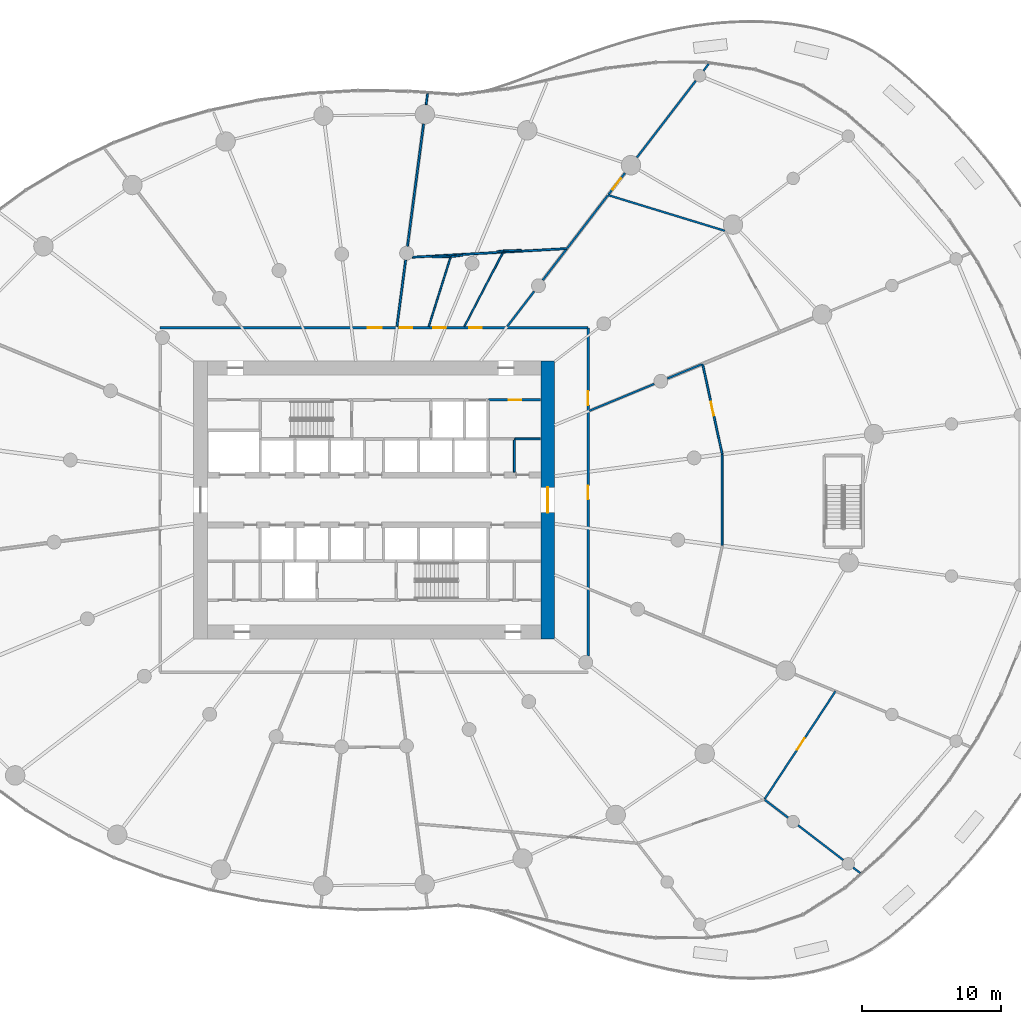
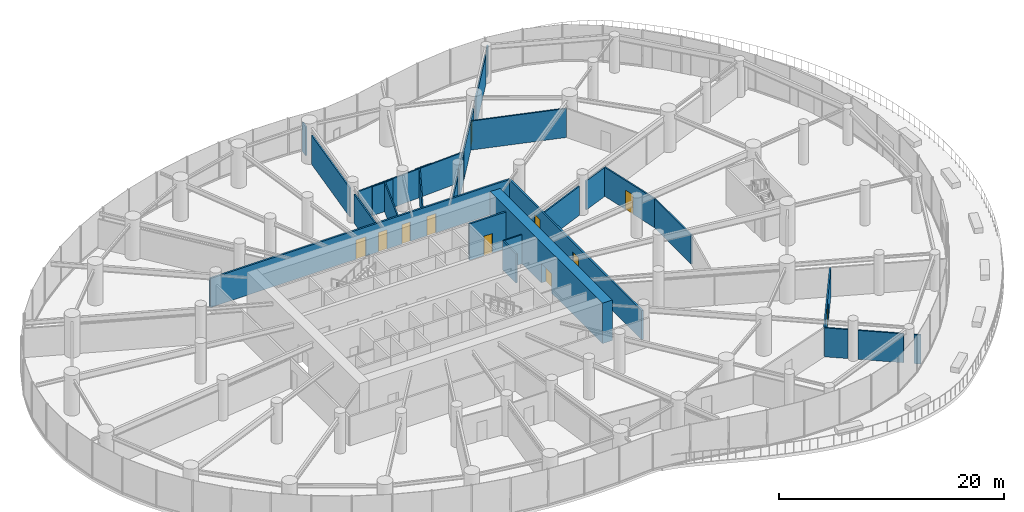
# One storey, part 15 of 21: 31 walls, 11 doors, 11 openings.
"""IFC4 building model written with IfcOpenShell, lengths in metres."""

from ifc_helpers import new_model, si_unit, direction, frame, frame_2d, origin, place, context, subcontext, project, spatial, rectangle, extrude, source, transform, mapped, material, layer, layer_set, type_object, element, fill, save


model = new_model("IFC4")

# Units and contexts
model_context = context("Model", 3, precision=1e-05, world=origin(), true_north=direction((0.0, 1.0)))
body_context = subcontext(model_context, "Body", "Model", "MODEL_VIEW")
ifc_project = project(units=[si_unit("LENGTHUNIT", "METRE"), si_unit("AREAUNIT", "SQUARE_METRE"), si_unit("VOLUMEUNIT", "CUBIC_METRE"), si_unit("PLANEANGLEUNIT", "RADIAN"), si_unit("MASSUNIT", "GRAM", prefix="KILO")], contexts=[model_context])

# Site, building, storey
site_placement = place(None, origin())
site = spatial("IfcSite", under=ifc_project, at=site_placement, CompositionType="ELEMENT")
building_placement = place(site_placement, origin())
building = spatial("IfcBuilding", under=site, at=building_placement, Name="Spindrift Exchange Tower", CompositionType="ELEMENT")
storey_placement = place(building_placement, frame((0.0, 0.0, 9.39990234375)))
storey = spatial("IfcBuildingStorey", under=building, at=storey_placement, Name="L02", CompositionType="ELEMENT", Elevation=9.39990234375)

# Wall, opening, door
ifc_material_1 = material(Name="Concrete 80 MPa", Category="concrete")
ifc_layer_1 = layer(ifc_material_1, 1.0)
ifc_layer_set_1 = layer_set([ifc_layer_1], Name="RC Core Wall 1000 Concrete 80 MPa")
wall_type_1 = type_object("IfcWallType", Name="RC Core Wall 1000 Concrete 80 MPa", PredefinedType="SHEAR", material=ifc_layer_set_1)
wall_1_placement = place(storey_placement, frame((64.5, 38.0, 0.0), z_axis=(0.0, 0.0, 1.0), x_axis=(0.0, 1.0, 0.0)))
wall_1 = element("IfcWall", 1, at=wall_1_placement, inside=storey, type_object=wall_type_1, Name="Core wall E L02", PredefinedType="SHEAR", context=body_context, shape_type="SweptSolid", body=[
    extrude(rectangle(XDim=20.0, YDim=1.0, at=frame_2d((10.0, 0.0))), origin(), (0.0, 0.0, 1.0), 4.400146484375),
])
opening_1_placement = place(wall_1_placement, frame((9.10009765625, 0.0, 0.0)))
opening_1 = element("IfcOpeningElement", 2, at=opening_1_placement, cuts=wall_1, Name="Opening L02-D2", PredefinedType="OPENING", context=body_context, shape_type="SweptSolid", body=[
    extrude(rectangle(XDim=1.800048828125, YDim=2.10009765625, at=frame_2d((0.89990234375, 1.050048828125))), frame((0.0, 0.510009765625, 0.0), z_axis=(0.0, -1.0, 0.0), x_axis=(1.0, 0.0, 0.0)), (0.0, 0.0, 1.0), 1.02001953125),
])
ifc_material_2 = material(Name="Timber-core fire door", Category="wood")
door_type_1 = type_object("IfcDoorType", Name="DR-LOBBY-1800", OperationType="NOTDEFINED", PredefinedType="DOOR", material=ifc_material_2)
shared_shape_1 = source(origin(), body_context, "Body", "SweptSolid", [
    extrude(rectangle(XDim=1.800048828125, YDim=2.10009765625, at=frame_2d((0.89990234375, 1.050048828125))), frame((0.0, 0.02490234375, 0.0), z_axis=(0.0, -1.0, 0.0), x_axis=(1.0, 0.0, 0.0)), (0.0, 0.0, 1.0), 0.050048828125),
])
door_1_placement = place(opening_1_placement, origin())
door_1 = element("IfcDoor", 3, at=door_1_placement, inside=storey, type_object=door_type_1, Name="L02 Lobby door 2", OperationType="SINGLE_SWING_RIGHT", OverallHeight=2.10009765625, OverallWidth=1.800048828125, PredefinedType="DOOR", context=body_context, shape_type="MappedRepresentation", body=[
    mapped(shared_shape_1, transform((0.0, 0.0, 0.0), scale=1.0)),
])
fill(opening_1, door_1)

ifc_material_3 = material(Name="Fire-rated plasterboard partition", Category="gypsum")
ifc_layer_2 = layer(ifc_material_3, 0.179931640625)
ifc_layer_set_2 = layer_set([ifc_layer_2], Name="W-CORR-180")
wall_type_2 = type_object("IfcWallType", Name="W-CORR-180", PredefinedType="PARTITIONING", material=ifc_layer_set_2)
wall_2_placement = place(storey_placement, frame((63.97998046875, 55.199951171875, 0.0), z_axis=(0.0, 0.0, 1.0), x_axis=(-1.0, 0.0, 0.0)))
wall_2 = element("IfcWall", 4, at=wall_2_placement, inside=storey, type_object=wall_type_2, Name="L02 Partition wall 68", PredefinedType="PARTITIONING", context=body_context, shape_type="SweptSolid", body=[
    extrude(rectangle(XDim=3.75, YDim=0.179931640625, at=frame_2d((1.875, 0.0))), origin(), (0.0, 0.0, 1.0), 3.9501953125),
])
opening_2_placement = place(wall_2_placement, frame((1.39990234375, 0.0, 0.0)))
opening_2 = element("IfcOpeningElement", 5, at=opening_2_placement, cuts=wall_2, Name="Opening L02-D51", PredefinedType="OPENING", context=body_context, shape_type="SweptSolid", body=[
    extrude(rectangle(XDim=0.89990234375, YDim=2.10009765625, at=frame_2d((0.449951171875, 1.050048828125))), frame((0.0, 0.099853515625, 0.0), z_axis=(0.0, -1.0, 0.0), x_axis=(1.0, 0.0, 0.0)), (0.0, 0.0, 1.0), 0.199951171875),
])
ifc_material_4 = material(Name="Steel access door", Category="steel")
door_type_2 = type_object("IfcDoorType", Name="DR-RISER-900", OperationType="NOTDEFINED", PredefinedType="DOOR", material=ifc_material_4)
shared_shape_2 = source(origin(), body_context, "Body", "SweptSolid", [
    extrude(rectangle(XDim=0.89990234375, YDim=2.10009765625, at=frame_2d((0.449951171875, 1.050048828125))), frame((0.0, 0.02490234375, 0.0), z_axis=(0.0, -1.0, 0.0), x_axis=(1.0, 0.0, 0.0)), (0.0, 0.0, 1.0), 0.050048828125),
])
door_2_placement = place(opening_2_placement, origin())
door_2 = element("IfcDoor", 6, at=door_2_placement, inside=storey, type_object=door_type_2, Name="L02 Riser door 51", OperationType="SINGLE_SWING_LEFT", OverallHeight=2.10009765625, OverallWidth=0.89990234375, PredefinedType="DOOR", context=body_context, shape_type="MappedRepresentation", body=[
    mapped(shared_shape_2, transform((0.0, 0.0, 0.0), scale=1.0)),
])
fill(opening_2, door_2)

ifc_layer_3 = layer(ifc_material_3, 0.139892578125)
ifc_layer_set_3 = layer_set([ifc_layer_3], Name="W-PART-140")
wall_type_3 = type_object("IfcWallType", Name="W-PART-140", PredefinedType="PARTITIONING", material=ifc_layer_set_3)
wall_3_placement = place(storey_placement, frame((75.64990234375, 57.796142578125, 0.0), z_axis=(0.0, 0.0, 1.0), x_axis=(0.212219247402, -0.977222078666, 0.0)))
wall_3 = element("IfcWall", 7, at=wall_3_placement, inside=storey, type_object=wall_type_3, Name="L02 Partition wall 84", PredefinedType="PARTITIONING", context=body_context, shape_type="SweptSolid", body=[
    extrude(rectangle(XDim=6.648193359375, YDim=0.139892578125, at=frame_2d((3.32421875, 0.0))), origin(), (0.0, 0.0, 1.0), 3.150146484375),
])
opening_3_placement = place(wall_3_placement, frame((2.798095703125, 0.0, 0.0)))
opening_3 = element("IfcOpeningElement", 8, at=opening_3_placement, cuts=wall_3, Name="Opening L02-D25", PredefinedType="OPENING", context=body_context, shape_type="SweptSolid", body=[
    extrude(rectangle(XDim=1.0, YDim=2.10009765625, at=frame_2d((0.5, 1.050048828125))), frame((0.0, 0.079833984375, 0.0), z_axis=(0.0, -1.0, 0.0), x_axis=(1.0, 0.0, 0.0)), (0.0, 0.0, 1.0), 0.159912109375),
])
door_type_3 = type_object("IfcDoorType", Name="DR-ROOM-1000", OperationType="NOTDEFINED", PredefinedType="DOOR", material=ifc_material_2)
shared_shape_3 = source(origin(), body_context, "Body", "SweptSolid", [
    extrude(rectangle(XDim=1.0, YDim=2.10009765625, at=frame_2d((0.5, 1.050048828125))), frame((0.0, 0.02490234375, 0.0), z_axis=(0.0, -1.0, 0.0), x_axis=(1.0, 0.0, 0.0)), (0.0, 0.0, 1.0), 0.050048828125),
])
door_3_placement = place(opening_3_placement, origin())
door_3 = element("IfcDoor", 9, at=door_3_placement, inside=storey, type_object=door_type_3, Name="L02 Door 25", OperationType="SINGLE_SWING_LEFT", OverallHeight=2.10009765625, OverallWidth=1.0, PredefinedType="DOOR", context=body_context, shape_type="MappedRepresentation", body=[
    mapped(shared_shape_3, transform((0.0, 0.0, 0.0), scale=1.0)),
])
fill(opening_3, door_3)

# Walls
wall_4_placement = place(storey_placement, frame((77.060791015625, 44.730712890625, 0.0), z_axis=(0.0, 0.0, 1.0), x_axis=(0.0, 1.0, 0.0)))
element("IfcWall", 10, at=wall_4_placement, inside=storey, type_object=wall_type_3, Name="L02 Partition wall 86", PredefinedType="PARTITIONING", context=body_context, shape_type="SweptSolid", body=[
    extrude(rectangle(XDim=6.53857421875, YDim=0.139892578125, at=frame_2d((3.269287109375, 0.0))), origin(), (0.0, 0.0, 1.0), 3.150146484375),
])
wall_5_placement = place(storey_placement, frame((62.10009765625, 50.010009765625, 0.0), z_axis=(0.0, 0.0, 1.0), x_axis=(0.0, 1.0, 0.0)))
element("IfcWall", 11, at=wall_5_placement, inside=storey, type_object=wall_type_3, Name="L02 Partition wall 118", PredefinedType="PARTITIONING", context=body_context, shape_type="SweptSolid", body=[
    extrude(rectangle(XDim=2.389892578125, YDim=0.139892578125, at=frame_2d((1.19482421875, 0.0))), origin(), (0.0, 0.0, 1.0), 3.150146484375),
])
wall_6_placement = place(storey_placement, frame((63.97998046875, 52.39990234375, 0.0), z_axis=(0.0, 0.0, 1.0), x_axis=(-1.0, 0.0, 0.0)))
element("IfcWall", 12, at=wall_6_placement, inside=storey, type_object=wall_type_3, Name="L02 Partition wall 127", PredefinedType="PARTITIONING", context=body_context, shape_type="SweptSolid", body=[
    extrude(rectangle(XDim=1.85009765625, YDim=0.139892578125, at=frame_2d((0.925048828125, 0.0))), origin(), (0.0, 0.0, 1.0), 3.150146484375),
])
ifc_layer_4 = layer(ifc_material_3, 0.1201171875)
ifc_layer_set_4 = layer_set([ifc_layer_4], Name="W-PLANT-120")
wall_type_4 = type_object("IfcWallType", Name="W-PLANT-120", PredefinedType="PARTITIONING", material=ifc_layer_set_4)
wall_7_placement = place(storey_placement, frame((62.60888671875, 65.984375, 0.0), z_axis=(0.0, 0.0, 1.0), x_axis=(-0.999408051907, -0.034402700248, 0.0)))
element("IfcWall", 13, at=wall_7_placement, inside=storey, type_object=wall_type_4, Name="L02 Partition wall 141", PredefinedType="PARTITIONING", context=body_context, shape_type="SweptSolid", body=[
    extrude(rectangle(XDim=1.270263671875, YDim=0.1201171875, at=frame_2d((0.63525390625, 0.0))), origin(), (0.0, 0.0, 1.0), 3.150146484375),
])
wall_8_placement = place(storey_placement, frame((57.45751953125, 65.50830078125, 0.0), z_axis=(0.0, 0.0, 1.0), x_axis=(-0.999842238965, -0.017762240348, 0.0)))
element("IfcWall", 14, at=wall_8_placement, inside=storey, type_object=wall_type_4, Name="L02 Partition wall 142", PredefinedType="PARTITIONING", context=body_context, shape_type="SweptSolid", body=[
    extrude(rectangle(XDim=1.2783203125, YDim=0.1201171875, at=frame_2d((0.63916015625, 0.0))), origin(), (0.0, 0.0, 1.0), 3.150146484375),
])
wall_9_placement = place(storey_placement, frame((61.3095703125, 65.9375, 0.0), z_axis=(0.0, 0.0, 1.0), x_axis=(-0.993844889187, -0.110780576981, 0.0)))
element("IfcWall", 15, at=wall_9_placement, inside=storey, type_object=wall_type_4, Name="L02 Partition wall 143", PredefinedType="PARTITIONING", context=body_context, shape_type="SweptSolid", body=[
    extrude(rectangle(XDim=0.460693359375, YDim=0.1201171875, at=frame_2d((0.23046875, 0.0))), origin(), (0.0, 0.0, 1.0), 3.150146484375),
])
wall_10_placement = place(storey_placement, frame((58.38720703125, 65.608642578125, 0.0), z_axis=(0.0, 0.0, 1.0), x_axis=(-0.993488681117, -0.113930858383, 0.0)))
element("IfcWall", 16, at=wall_10_placement, inside=storey, type_object=wall_type_4, Name="L02 Partition wall 144", PredefinedType="PARTITIONING", context=body_context, shape_type="SweptSolid", body=[
    extrude(rectangle(XDim=0.842041015625, YDim=0.1201171875, at=frame_2d((0.4208984375, 0.0))), origin(), (0.0, 0.0, 1.0), 3.150146484375),
])
ifc_layer_5 = layer(ifc_material_3, 0.139892578125)
ifc_layer_set_5 = layer_set([ifc_layer_5], Name="W-PLANT-140")
wall_type_5 = type_object("IfcWallType", Name="W-PLANT-140", PredefinedType="PARTITIONING", material=ifc_layer_set_5)
wall_11_placement = place(storey_placement, frame((65.886474609375, 66.09716796875, 0.0), z_axis=(0.0, 0.0, 1.0), x_axis=(-0.998446920343, -0.055711284828, 0.0)))
element("IfcWall", 17, at=wall_11_placement, inside=storey, type_object=wall_type_5, Name="L02 Partition wall 70", PredefinedType="PARTITIONING", context=body_context, shape_type="SweptSolid", body=[
    extrude(rectangle(XDim=11.15283203125, YDim=0.139892578125, at=frame_2d((5.576416015625, 0.0))), origin(), (0.0, 0.0, 1.0), 3.150146484375),
])

# Wall, opening, door
wall_12_placement = place(storey_placement, frame((85.21923828125, 34.239990234375, 0.0), z_axis=(0.0, 0.0, 1.0), x_axis=(-0.548956837057, -0.835850699018, 0.0)))
wall_12 = element("IfcWall", 18, at=wall_12_placement, inside=storey, type_object=wall_type_5, Name="L02 Partition wall 73", PredefinedType="PARTITIONING", context=body_context, shape_type="SweptSolid", body=[
    extrude(rectangle(XDim=9.30126953125, YDim=0.139892578125, at=frame_2d((4.650634765625, 0.0))), origin(), (0.0, 0.0, 1.0), 3.150146484375),
])
opening_4_placement = place(wall_12_placement, frame((4.05126953125, 0.0, 0.0)))
opening_4 = element("IfcOpeningElement", 19, at=opening_4_placement, cuts=wall_12, Name="Opening L02-D43", PredefinedType="OPENING", context=body_context, shape_type="SweptSolid", body=[
    extrude(rectangle(XDim=1.0, YDim=2.10009765625, at=frame_2d((0.5, 1.050048828125))), frame((0.0, 0.079833984375, 0.0), z_axis=(0.0, -1.0, 0.0), x_axis=(1.0, 0.0, 0.0)), (0.0, 0.0, 1.0), 0.159912109375),
])
door_4_placement = place(opening_4_placement, origin())
door_4 = element("IfcDoor", 20, at=door_4_placement, inside=storey, type_object=door_type_3, Name="L02 Door 43", OperationType="SINGLE_SWING_LEFT", OverallHeight=2.10009765625, OverallWidth=1.0, PredefinedType="DOOR", context=body_context, shape_type="MappedRepresentation", body=[
    mapped(shared_shape_3, transform((0.0, 0.0, 0.0), scale=1.0)),
])
fill(opening_4, door_4)

# Walls
wall_13_placement = place(storey_placement, frame((54.405029296875, 66.267333984375, 0.0), z_axis=(0.0, 0.0, 1.0), x_axis=(0.130521426482, 0.991445488783, 0.0)))
element("IfcWall", 21, at=wall_13_placement, inside=storey, type_object=wall_type_5, Name="L02 Partition wall 78", PredefinedType="PARTITIONING", context=body_context, shape_type="SweptSolid", body=[
    extrude(rectangle(XDim=8.871826171875, YDim=0.139892578125, at=frame_2d((4.43603515625, 0.0))), origin(), (0.0, 0.0, 1.0), 3.150146484375),
])
wall_14_placement = place(storey_placement, frame((77.251708984375, 67.376220703125, 0.0), z_axis=(0.0, 0.0, 1.0), x_axis=(-0.956290134039, 0.292419526604, 0.0)))
element("IfcWall", 22, at=wall_14_placement, inside=storey, type_object=wall_type_5, Name="L02 Partition wall 79", PredefinedType="PARTITIONING", context=body_context, shape_type="SweptSolid", body=[
    extrude(rectangle(XDim=8.794921875, YDim=0.139892578125, at=frame_2d((4.3974609375, 0.0))), origin(), (0.0, 0.0, 1.0), 3.150146484375),
])
wall_15_placement = place(storey_placement, frame((70.9208984375, 72.658447265625, 0.0), z_axis=(0.0, 0.0, 1.0), x_axis=(0.608788506125, 0.793332562555, 0.0)))
element("IfcWall", 23, at=wall_15_placement, inside=storey, type_object=wall_type_5, Name="L02 Partition wall 82", PredefinedType="PARTITIONING", context=body_context, shape_type="SweptSolid", body=[
    extrude(rectangle(XDim=6.962646484375, YDim=0.139892578125, at=frame_2d((3.4814453125, 0.0))), origin(), (0.0, 0.0, 1.0), 3.150146484375),
])
wall_16_placement = place(storey_placement, frame((67.489990234375, 54.416259765625, 0.0), z_axis=(0.0, 0.0, 1.0), x_axis=(0.923890025086, 0.382658100067, 0.0)))
element("IfcWall", 24, at=wall_16_placement, inside=storey, type_object=wall_type_5, Name="L02 Partition wall 89", PredefinedType="PARTITIONING", context=body_context, shape_type="SweptSolid", body=[
    extrude(rectangle(XDim=5.068359375, YDim=0.139892578125, at=frame_2d((2.5341796875, 0.0))), origin(), (0.0, 0.0, 1.0), 3.150146484375),
])
wall_17_placement = place(storey_placement, frame((53.644287109375, 60.489990234375, 0.0), z_axis=(0.0, 0.0, 1.0), x_axis=(0.130523979823, 0.991445152639, 0.0)))
element("IfcWall", 25, at=wall_17_placement, inside=storey, type_object=wall_type_5, Name="L02 Partition wall 91", PredefinedType="PARTITIONING", context=body_context, shape_type="SweptSolid", body=[
    extrude(rectangle(XDim=4.818359375, YDim=0.139892578125, at=frame_2d((2.4091796875, 0.0))), origin(), (0.0, 0.0, 1.0), 3.150146484375),
])
wall_18_placement = place(storey_placement, frame((65.90478515625, 66.12109375, 0.0), z_axis=(0.0, 0.0, 1.0), x_axis=(0.608747971689, 0.793363666274, 0.0)))
element("IfcWall", 26, at=wall_18_placement, inside=storey, type_object=wall_type_5, Name="L02 Partition wall 92", PredefinedType="PARTITIONING", context=body_context, shape_type="SweptSolid", body=[
    extrude(rectangle(XDim=4.793701171875, YDim=0.139892578125, at=frame_2d((2.39697265625, 0.0))), origin(), (0.0, 0.0, 1.0), 3.150146484375),
])
wall_19_placement = place(storey_placement, frame((82.525146484375, 24.5771484375, 0.0), z_axis=(0.0, 0.0, 1.0), x_axis=(0.793377694402, -0.608729688799, 0.0)))
element("IfcWall", 27, at=wall_19_placement, inside=storey, type_object=wall_type_5, Name="L02 Partition wall 97", PredefinedType="PARTITIONING", context=body_context, shape_type="SweptSolid", body=[
    extrude(rectangle(XDim=4.0908203125, YDim=0.139892578125, at=frame_2d((2.04541015625, 0.0))), origin(), (0.0, 0.0, 1.0), 3.150146484375),
])
wall_20_placement = place(storey_placement, frame((61.583984375, 60.489990234375, 0.0), z_axis=(0.0, 0.0, 1.0), x_axis=(0.60874605662, 0.793365135703, 0.0)))
element("IfcWall", 28, at=wall_20_placement, inside=storey, type_object=wall_type_5, Name="L02 Partition wall 108", PredefinedType="PARTITIONING", context=body_context, shape_type="SweptSolid", body=[
    extrude(rectangle(XDim=3.193603515625, YDim=0.139892578125, at=frame_2d((1.5966796875, 0.0))), origin(), (0.0, 0.0, 1.0), 3.150146484375),
])
wall_21_placement = place(storey_placement, frame((64.14208984375, 63.823974609375, 0.0), z_axis=(0.0, 0.0, 1.0), x_axis=(0.608740177346, 0.793369646813, 0.0)))
element("IfcWall", 29, at=wall_21_placement, inside=storey, type_object=wall_type_5, Name="L02 Partition wall 112", PredefinedType="PARTITIONING", context=body_context, shape_type="SweptSolid", body=[
    extrude(rectangle(XDim=2.77294921875, YDim=0.139892578125, at=frame_2d((1.386474609375, 0.0))), origin(), (0.0, 0.0, 1.0), 3.150146484375),
])
wall_22_placement = place(storey_placement, frame((73.10595703125, 56.7421875, 0.0), z_axis=(0.0, 0.0, 1.0), x_axis=(0.923855963606, 0.38274032778, 0.0)))
element("IfcWall", 30, at=wall_22_placement, inside=storey, type_object=wall_type_5, Name="L02 Partition wall 115", PredefinedType="PARTITIONING", context=body_context, shape_type="SweptSolid", body=[
    extrude(rectangle(XDim=2.682373046875, YDim=0.139892578125, at=frame_2d((1.34130859375, 0.0))), origin(), (0.0, 0.0, 1.0), 3.150146484375),
])
wall_23_placement = place(storey_placement, frame((80.12060546875, 26.42236328125, 0.0), z_axis=(0.0, 0.0, 1.0), x_axis=(0.793337757309, -0.608781736609, 0.0)))
element("IfcWall", 31, at=wall_23_placement, inside=storey, type_object=wall_type_5, Name="L02 Partition wall 120", PredefinedType="PARTITIONING", context=body_context, shape_type="SweptSolid", body=[
    extrude(rectangle(XDim=2.121826171875, YDim=0.139892578125, at=frame_2d((1.06103515625, 0.0))), origin(), (0.0, 0.0, 1.0), 3.150146484375),
])

# Wall, opening, door
wall_24_placement = place(storey_placement, frame((68.886962890625, 70.00732421875, 0.0), z_axis=(0.0, 0.0, 1.0), x_axis=(0.608733755036, 0.79337457451, 0.0)))
wall_24 = element("IfcWall", 32, at=wall_24_placement, inside=storey, type_object=wall_type_5, Name="L02 Partition wall 121", PredefinedType="PARTITIONING", context=body_context, shape_type="SweptSolid", body=[
    extrude(rectangle(XDim=1.93310546875, YDim=0.139892578125, at=frame_2d((0.966552734375, 0.0))), origin(), (0.0, 0.0, 1.0), 3.150146484375),
])
opening_5_placement = place(wall_24_placement, frame((0.449951171875, 0.0, 0.0)))
opening_5 = element("IfcOpeningElement", 33, at=opening_5_placement, cuts=wall_24, Name="Opening L02-D32", PredefinedType="OPENING", context=body_context, shape_type="SweptSolid", body=[
    extrude(rectangle(XDim=1.0, YDim=2.10009765625, at=frame_2d((0.5, 1.050048828125))), frame((0.0, 0.079833984375, 0.0), z_axis=(0.0, -1.0, 0.0), x_axis=(1.0, 0.0, 0.0)), (0.0, 0.0, 1.0), 0.159912109375),
])
door_5_placement = place(opening_5_placement, origin())
door_5 = element("IfcDoor", 34, at=door_5_placement, inside=storey, type_object=door_type_3, Name="L02 Door 32", OperationType="SINGLE_SWING_RIGHT", OverallHeight=2.10009765625, OverallWidth=1.0, PredefinedType="DOOR", context=body_context, shape_type="MappedRepresentation", body=[
    mapped(shared_shape_3, transform((0.0, 0.0, 0.0), scale=1.0)),
])
fill(opening_5, door_5)

# Walls
wall_25_placement = place(storey_placement, frame((55.746826171875, 76.459716796875, 0.0), z_axis=(0.0, 0.0, 1.0), x_axis=(0.130598952658, 0.991435279564, 0.0)))
element("IfcWall", 35, at=wall_25_placement, inside=storey, type_object=wall_type_5, Name="L02 Partition wall 132", PredefinedType="PARTITIONING", context=body_context, shape_type="SweptSolid", body=[
    extrude(rectangle(XDim=0.787109375, YDim=0.139892578125, at=frame_2d((0.3935546875, 0.0))), origin(), (0.0, 0.0, 1.0), 3.150146484375),
])
wall_26_placement = place(storey_placement, frame((86.491943359375, 21.533447265625, 0.0), z_axis=(0.0, 0.0, 1.0), x_axis=(0.793240017883, -0.608909085191, 0.0)))
element("IfcWall", 36, at=wall_26_placement, inside=storey, type_object=wall_type_5, Name="L02 Partition wall 136", PredefinedType="PARTITIONING", context=body_context, shape_type="SweptSolid", body=[
    extrude(rectangle(XDim=0.633056640625, YDim=0.139892578125, at=frame_2d((0.31640625, 0.0))), origin(), (0.0, 0.0, 1.0), 3.150146484375),
])
wall_27_placement = place(storey_placement, frame((75.712890625, 78.9033203125, 0.0), z_axis=(0.0, 0.0, 1.0), x_axis=(0.608865317956, 0.79327361269, 0.0)))
element("IfcWall", 37, at=wall_27_placement, inside=storey, type_object=wall_type_5, Name="L02 Partition wall 137", PredefinedType="PARTITIONING", context=body_context, shape_type="SweptSolid", body=[
    extrude(rectangle(XDim=0.6142578125, YDim=0.139892578125, at=frame_2d((0.30712890625, 0.0))), origin(), (0.0, 0.0, 1.0), 3.150146484375),
])

# Wall, openings, doors
ifc_layer_6 = layer(ifc_material_3, 0.179931640625)
ifc_layer_set_6 = layer_set([ifc_layer_6], Name="W-PLANT-180")
wall_type_6 = type_object("IfcWallType", Name="W-PLANT-180", PredefinedType="PARTITIONING", material=ifc_layer_set_6)
wall_28_placement = place(storey_placement, frame((36.60009765625, 60.39990234375, 0.0), z_axis=(0.0, 0.0, 1.0), x_axis=(1.0, 0.0, 0.0)))
wall_28 = element("IfcWall", 38, at=wall_28_placement, inside=storey, type_object=wall_type_6, Name="L02 Partition wall 62", PredefinedType="PARTITIONING", context=body_context, shape_type="SweptSolid", body=[
    extrude(rectangle(XDim=30.7998046875, YDim=0.179931640625, at=frame_2d((15.39990234375, 0.0))), origin(), (0.0, 0.0, 1.0), 3.150146484375),
])
opening_6_placement = place(wall_28_placement, frame((22.25, 0.0, 0.0)))
opening_6 = element("IfcOpeningElement", 39, at=opening_6_placement, cuts=wall_28, Name="Opening L02-D28", PredefinedType="OPENING", context=body_context, shape_type="SweptSolid", body=[
    extrude(rectangle(XDim=0.89990234375, YDim=2.10009765625, at=frame_2d((0.449951171875, 1.050048828125))), frame((0.0, 0.099853515625, 0.0), z_axis=(0.0, -1.0, 0.0), x_axis=(1.0, 0.0, 0.0)), (0.0, 0.0, 1.0), 0.199951171875),
])
opening_7_placement = place(wall_28_placement, frame((19.64990234375, 0.0, 0.0)))
opening_7 = element("IfcOpeningElement", 40, at=opening_7_placement, cuts=wall_28, Name="Opening L02-D29", PredefinedType="OPENING", context=body_context, shape_type="SweptSolid", body=[
    extrude(rectangle(XDim=0.89990234375, YDim=2.10009765625, at=frame_2d((0.449951171875, 1.050048828125))), frame((0.0, 0.099853515625, 0.0), z_axis=(0.0, -1.0, 0.0), x_axis=(1.0, 0.0, 0.0)), (0.0, 0.0, 1.0), 0.199951171875),
])
opening_8_placement = place(wall_28_placement, frame((17.25, 0.0, 0.0)))
opening_8 = element("IfcOpeningElement", 41, at=opening_8_placement, cuts=wall_28, Name="Opening L02-D30", PredefinedType="OPENING", context=body_context, shape_type="SweptSolid", body=[
    extrude(rectangle(XDim=0.89990234375, YDim=2.10009765625, at=frame_2d((0.449951171875, 1.050048828125))), frame((0.0, 0.099853515625, 0.0), z_axis=(0.0, -1.0, 0.0), x_axis=(1.0, 0.0, 0.0)), (0.0, 0.0, 1.0), 0.199951171875),
])
opening_9_placement = place(wall_28_placement, frame((14.949951171875, 0.0, 0.0)))
opening_9 = element("IfcOpeningElement", 42, at=opening_9_placement, cuts=wall_28, Name="Opening L02-D31", PredefinedType="OPENING", context=body_context, shape_type="SweptSolid", body=[
    extrude(rectangle(XDim=1.0, YDim=2.10009765625, at=frame_2d((0.5, 1.050048828125))), frame((0.0, 0.099853515625, 0.0), z_axis=(0.0, -1.0, 0.0), x_axis=(1.0, 0.0, 0.0)), (0.0, 0.0, 1.0), 0.199951171875),
])
door_6_placement = place(opening_9_placement, origin())
door_6 = element("IfcDoor", 43, at=door_6_placement, inside=storey, type_object=door_type_3, Name="L02 Door 31", OperationType="SINGLE_SWING_LEFT", OverallHeight=2.10009765625, OverallWidth=1.0, PredefinedType="DOOR", context=body_context, shape_type="MappedRepresentation", body=[
    mapped(shared_shape_3, transform((0.0, 0.0, 0.0), scale=1.0)),
])
fill(opening_9, door_6)
ifc_material_5 = material(Name="Laminate washroom door", Category="wood")
door_type_4 = type_object("IfcDoorType", Name="DR-WC-900", OperationType="NOTDEFINED", PredefinedType="DOOR", material=ifc_material_5)
shared_shape_4 = source(origin(), body_context, "Body", "SweptSolid", [
    extrude(rectangle(XDim=0.89990234375, YDim=2.10009765625, at=frame_2d((0.449951171875, 1.050048828125))), frame((0.0, 0.02490234375, 0.0), z_axis=(0.0, -1.0, 0.0), x_axis=(1.0, 0.0, 0.0)), (0.0, 0.0, 1.0), 0.050048828125),
])
door_7_placement = place(opening_6_placement, origin())
door_7 = element("IfcDoor", 44, at=door_7_placement, inside=storey, type_object=door_type_4, Name="L02 WC door 28", OperationType="SINGLE_SWING_RIGHT", OverallHeight=2.10009765625, OverallWidth=0.89990234375, PredefinedType="DOOR", context=body_context, shape_type="MappedRepresentation", body=[
    mapped(shared_shape_4, transform((0.0, 0.0, 0.0), scale=1.0)),
])
fill(opening_6, door_7)
door_8_placement = place(opening_7_placement, origin())
door_8 = element("IfcDoor", 45, at=door_8_placement, inside=storey, type_object=door_type_4, Name="L02 WC door 29", OperationType="SINGLE_SWING_LEFT", OverallHeight=2.10009765625, OverallWidth=0.89990234375, PredefinedType="DOOR", context=body_context, shape_type="MappedRepresentation", body=[
    mapped(shared_shape_4, transform((0.0, 0.0, 0.0), scale=1.0)),
])
fill(opening_7, door_8)
door_9_placement = place(opening_8_placement, origin())
door_9 = element("IfcDoor", 46, at=door_9_placement, inside=storey, type_object=door_type_4, Name="L02 WC door 30", OperationType="SINGLE_SWING_RIGHT", OverallHeight=2.10009765625, OverallWidth=0.89990234375, PredefinedType="DOOR", context=body_context, shape_type="MappedRepresentation", body=[
    mapped(shared_shape_4, transform((0.0, 0.0, 0.0), scale=1.0)),
])
fill(opening_8, door_9)

wall_29_placement = place(storey_placement, frame((67.39990234375, 60.3701171875, 0.0), z_axis=(0.0, 0.0, 1.0), x_axis=(0.0, -1.0, 0.0)))
wall_29 = element("IfcWall", 47, at=wall_29_placement, inside=storey, type_object=wall_type_6, Name="L02 Partition wall 63", PredefinedType="PARTITIONING", context=body_context, shape_type="SweptSolid", body=[
    extrude(rectangle(XDim=23.58251953125, YDim=0.179931640625, at=frame_2d((11.791259765625, 0.0))), origin(), (0.0, 0.0, 1.0), 3.150146484375),
])
opening_10_placement = place(wall_29_placement, frame((11.33251953125, 0.0, 0.0)))
opening_10 = element("IfcOpeningElement", 48, at=opening_10_placement, cuts=wall_29, Name="Opening L02-D24", PredefinedType="OPENING", context=body_context, shape_type="SweptSolid", body=[
    extrude(rectangle(XDim=1.0, YDim=2.10009765625, at=frame_2d((0.5, 1.050048828125))), frame((0.0, 0.099853515625, 0.0), z_axis=(0.0, -1.0, 0.0), x_axis=(1.0, 0.0, 0.0)), (0.0, 0.0, 1.0), 0.199951171875),
])
opening_11_placement = place(wall_29_placement, frame((4.532470703125, 0.0, 0.0)))
opening_11 = element("IfcOpeningElement", 49, at=opening_11_placement, cuts=wall_29, Name="Opening L02-D26", PredefinedType="OPENING", context=body_context, shape_type="SweptSolid", body=[
    extrude(rectangle(XDim=1.0, YDim=2.10009765625, at=frame_2d((0.5, 1.050048828125))), frame((0.0, 0.099853515625, 0.0), z_axis=(0.0, -1.0, 0.0), x_axis=(1.0, 0.0, 0.0)), (0.0, 0.0, 1.0), 0.199951171875),
])
door_10_placement = place(opening_10_placement, origin())
door_10 = element("IfcDoor", 50, at=door_10_placement, inside=storey, type_object=door_type_3, Name="L02 Door 24", OperationType="SINGLE_SWING_RIGHT", OverallHeight=2.10009765625, OverallWidth=1.0, PredefinedType="DOOR", context=body_context, shape_type="MappedRepresentation", body=[
    mapped(shared_shape_3, transform((0.0, 0.0, 0.0), scale=1.0)),
])
fill(opening_10, door_10)
door_11_placement = place(opening_11_placement, origin())
door_11 = element("IfcDoor", 51, at=door_11_placement, inside=storey, type_object=door_type_3, Name="L02 Door 26", OperationType="SINGLE_SWING_RIGHT", OverallHeight=2.10009765625, OverallWidth=1.0, PredefinedType="DOOR", context=body_context, shape_type="MappedRepresentation", body=[
    mapped(shared_shape_3, transform((0.0, 0.0, 0.0), scale=1.0)),
])
fill(opening_11, door_11)

# Walls
ifc_layer_7 = layer(ifc_material_3, 0.1201171875)
ifc_layer_set_7 = layer_set([ifc_layer_7], Name="W-WET-120")
wall_type_7 = type_object("IfcWallType", Name="W-WET-120", PredefinedType="PARTITIONING", material=ifc_layer_set_7)
wall_30_placement = place(storey_placement, frame((58.501953125, 60.489990234375, 0.0), z_axis=(0.0, 0.0, 1.0), x_axis=(0.461727320005, 0.887021917407, 0.0)))
element("IfcWall", 52, at=wall_30_placement, inside=storey, type_object=wall_type_7, Name="L02 Partition wall 139", PredefinedType="PARTITIONING", context=body_context, shape_type="SweptSolid", body=[
    extrude(rectangle(XDim=5.95068359375, YDim=0.1201171875, at=frame_2d((2.975341796875, 0.0))), origin(), (0.0, 0.0, 1.0), 3.150146484375),
])
wall_31_placement = place(storey_placement, frame((55.93798828125, 60.489990234375, 0.0), z_axis=(0.0, 0.0, 1.0), x_axis=(0.300725077107, 0.953710872329, 0.0)))
element("IfcWall", 53, at=wall_31_placement, inside=storey, type_object=wall_type_7, Name="L02 Partition wall 140", PredefinedType="PARTITIONING", context=body_context, shape_type="SweptSolid", body=[
    extrude(rectangle(XDim=5.26318359375, YDim=0.1201171875, at=frame_2d((2.631591796875, 0.0))), origin(), (0.0, 0.0, 1.0), 3.150146484375),
])

save(model, "model.ifc")
